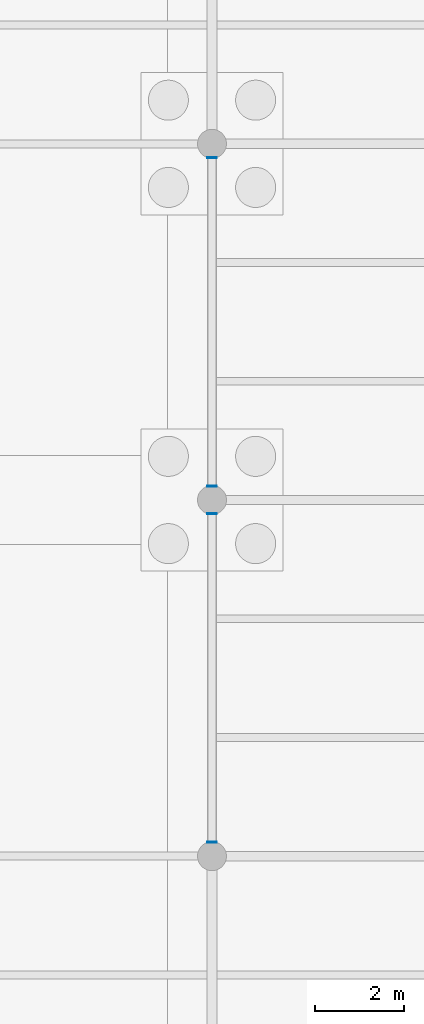
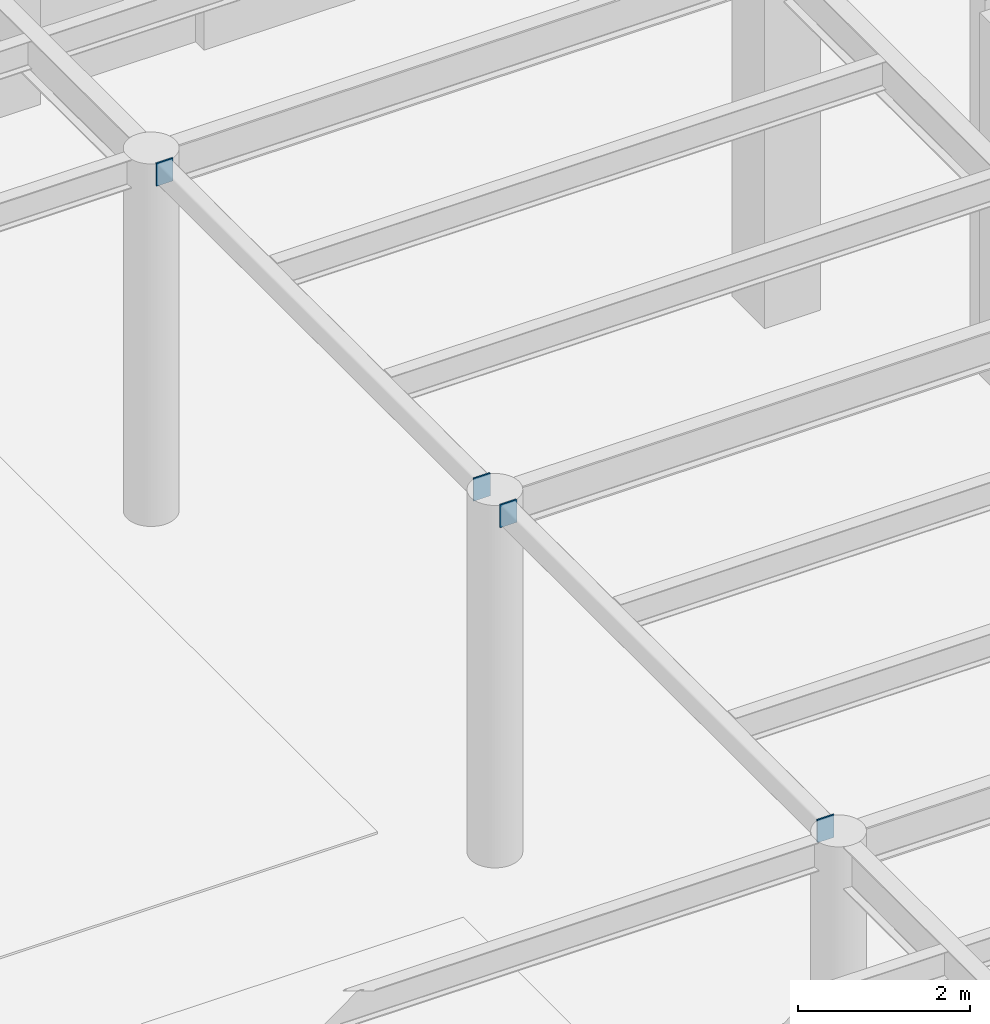
# One storey, part 109 of 138: 4 discrete accessories.
"""IFC4 building model written with IfcOpenShell, lengths in metres."""

from ifc_helpers import new_model, si_unit, direction, frame, origin, origin_2d, place, context, subcontext, project, spatial, rectangle, extrude, material, layer, layer_set, type_object, element, save


model = new_model("IFC4")

# Units and contexts
model_context = context("Model", 3, precision=1e-05, world=origin(), true_north=direction((0.0, 1.0)))
body_context = subcontext(model_context, "Body", "Model", "MODEL_VIEW")
ifc_project = project(units=[si_unit("LENGTHUNIT", "METRE"), si_unit("AREAUNIT", "SQUARE_METRE"), si_unit("VOLUMEUNIT", "CUBIC_METRE"), si_unit("PLANEANGLEUNIT", "RADIAN"), si_unit("MASSUNIT", "GRAM", prefix="KILO")], contexts=[model_context])

# Site, building, storey
site_placement = place(None, origin())
site = spatial("IfcSite", under=ifc_project, at=site_placement, CompositionType="ELEMENT")
building_placement = place(site_placement, origin())
building = spatial("IfcBuilding", under=site, at=building_placement, Name="Kranzveld Transit Interchange", CompositionType="ELEMENT")
storey_placement = place(building_placement, origin())
storey = spatial("IfcBuildingStorey", under=building, at=storey_placement, Name="L00", CompositionType="ELEMENT", Elevation=0.0)

# Discrete accessories
ifc_material = material(Name="Steel S355JR", Category="steel")
ifc_layer = layer(ifc_material, 0.02001953125)
ifc_layer_set = layer_set([ifc_layer], Name="Steel S355JR")
discrete_accessory_type = type_object("IfcDiscreteAccessoryType", Name="Hollow Section End Cap Bracket 20 S355JR", PredefinedType="BRACKET", material=ifc_layer_set)
for number, where, z_axis, x_axis, name in (
    (1, (92.39990234375, 64.319091796875, 5.0), (0.0, -1.0, 0.0), (1.0, 0.0, 0.0), "Hollow Section End Cap SP-RHS300-1"),
    (2, (92.39990234375, 71.680908203125, 5.0), (0.0, 1.0, 0.0), (-1.0, 0.0, 0.0), "Hollow Section End Cap SP-RHS300-2"),
    (3, (92.39990234375, 72.319091796875, 5.0), (0.0, -1.0, 0.0), (1.0, 0.0, 0.0), "Hollow Section End Cap SP-RHS300-1"),
    (4, (92.39990234375, 79.680908203125, 5.0), (0.0, 1.0, 0.0), (-1.0, 0.0, 0.0), "Hollow Section End Cap SP-RHS300-2"),
):
    element("IfcDiscreteAccessory", number, at=place(storey_placement, frame(where, z_axis=z_axis, x_axis=x_axis)), inside=storey, type_object=discrete_accessory_type, Name=name, PredefinedType="BRACKET", context=body_context, shape_type="SweptSolid", body=[
        extrude(rectangle(XDim=0.22412109375, YDim=0.323974609375, at=origin_2d()), origin(), (0.0, 0.0, 1.0), 0.02001953125),
    ])

save(model, "model.ifc")
